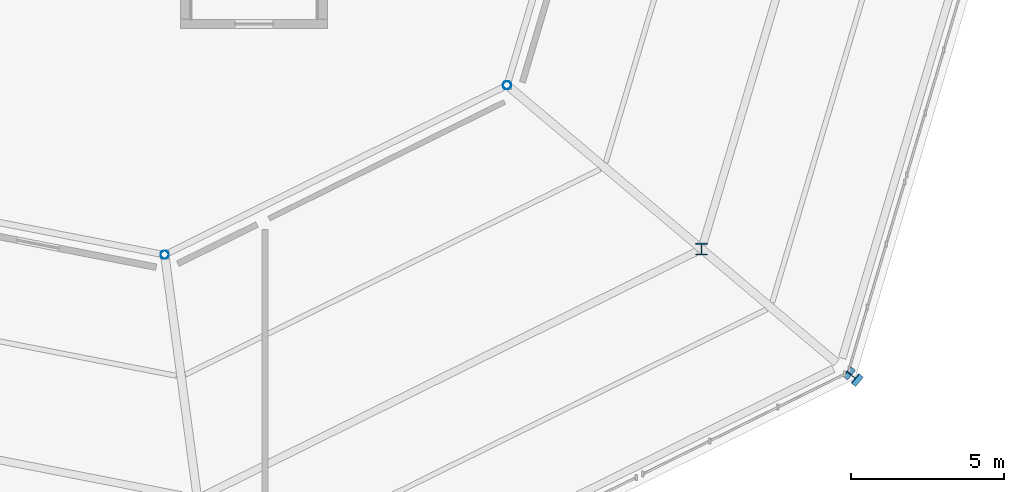
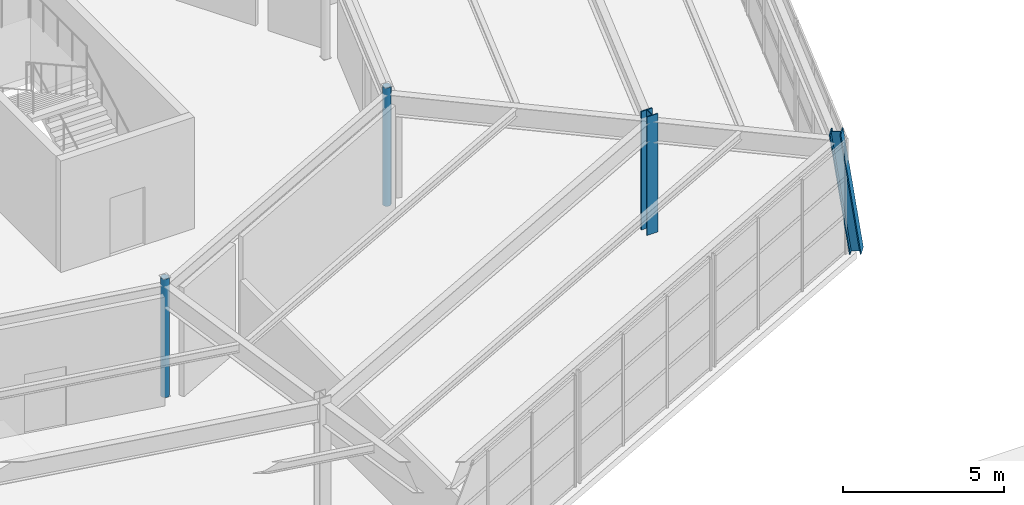
# One storey, part 15 of 77: 4 columns.
"""IFC4 building model written with IfcOpenShell, lengths in metres."""

from ifc_helpers import new_model, si_unit, direction, frame, origin, origin_2d, place, context, subcontext, project, spatial, hollow_circle, i_section, extrude, material, material_profile, profile_set, type_object, element, save


model = new_model("IFC4")

# Units and contexts
model_context = context("Model", 3, precision=1e-05, world=origin(), true_north=direction((0.0, 1.0)))
body_context = subcontext(model_context, "Body", "Model", "MODEL_VIEW")
ifc_project = project(units=[si_unit("LENGTHUNIT", "METRE"), si_unit("AREAUNIT", "SQUARE_METRE"), si_unit("VOLUMEUNIT", "CUBIC_METRE"), si_unit("PLANEANGLEUNIT", "RADIAN"), si_unit("MASSUNIT", "GRAM", prefix="KILO")], contexts=[model_context])

# Site, building, storey
site_placement = place(None, origin())
site = spatial("IfcSite", under=ifc_project, at=site_placement, CompositionType="ELEMENT")
building_placement = place(site_placement, origin())
building = spatial("IfcBuilding", under=site, at=building_placement, Name="Sarnbrook Museum", CompositionType="ELEMENT")
storey_placement = place(building_placement, frame((0.0, 0.0, 5.60009765625)))
storey = spatial("IfcBuildingStorey", under=building, at=storey_placement, Name="L01", CompositionType="ELEMENT", Elevation=5.60009765625)

# Columns
ifc_material_1 = material(Name="Structural Steel Hollow Section Grade C350L0 (AS/NZS 1163, fy = 350 MPa)", Category="steel")
ifc_material_profile_1 = material_profile(ifc_material_1, hollow_circle(Radius=0.136474609375, WallThickness=0.00927734375, at=origin_2d()), Name="273.1x9.3CHS")
ifc_profile_set_1 = profile_set([ifc_material_profile_1], Name="Structural Steel Hollow Section Grade C350L0 (AS/NZS 1163, fy = 350 MPa)")
column_type_1 = type_object("IfcColumnType", Name="COL-CHS273", PredefinedType="COLUMN", material=ifc_profile_set_1)
for number, where, z_axis, x_axis, name in (
    (1, (140.88720703125, 72.828857421875, 0.0), (0.0, 0.0, 1.0), (1.0, 0.0, 0.0), "Crystal Gallery Feature Column R2-2 L01"),
    (2, (152.05029296875, 78.356201171875, 0.0), (0.0, 0.0, 1.0), (1.0, 0.0, 0.0), "Crystal Gallery Feature Column R2-3 L01"),
):
    element("IfcColumn", number, at=place(storey_placement, frame(where, z_axis=z_axis, x_axis=x_axis)), inside=storey, type_object=column_type_1, Name=name, PredefinedType="COLUMN", context=body_context, shape_type="SweptSolid", body=[
        extrude(hollow_circle(Radius=0.136474609375, WallThickness=0.00927734375, at=origin_2d()), origin(), (0.0, 0.0, 1.0), 4.5),
    ])
ifc_material_2 = material(Name="Structural Steel Grade 350L0 (AS/NZS 3678, fy = 340 MPa for 20 < t <= 40 mm)", Category="steel")
ifc_material_profile_2 = material_profile(ifc_material_2, i_section(OverallWidth=0.39990234375, OverallDepth=0.382080078125, WebThickness=0.02490234375, FlangeThickness=0.035888671875, at=origin_2d()), Name="400WC270")
ifc_profile_set_2 = profile_set([ifc_material_profile_2], Name="Structural Steel Grade 350L0 (AS/NZS 3678, fy = 340 MPa for 20 < t <= 40 mm)")
column_type_2 = type_object("IfcColumnType", Name="COL-WC400", PredefinedType="COLUMN", material=ifc_profile_set_2)
column_1_placement = place(storey_placement, frame((163.3955078125, 68.8037109375, 0.039794921875), z_axis=(-0.108742477986, 0.091566909714, 0.989843712172), x_axis=(-0.644112272225, -0.764930964708, 0.0)))
element("IfcColumn", 3, at=column_1_placement, inside=storey, type_object=column_type_2, Name="Raking Crystal Rib Column V3 L01", PredefinedType="COLUMN", context=body_context, shape_type="SweptSolid", body=[
    extrude(i_section(OverallWidth=0.39990234375, OverallDepth=0.382080078125, WebThickness=0.02490234375, FlangeThickness=0.035888671875, at=origin_2d()), origin(), (0.0, 0.0, 1.0), 4.505859375),
])
column_2_placement = place(storey_placement, frame((158.392822265625, 73.015869140625, 0.0), z_axis=(0.0, 0.0, 1.0), x_axis=(1.0, 0.0, 0.0)))
element("IfcColumn", 4, at=column_2_placement, inside=storey, type_object=column_type_2, Name="Crystal Hall Ring Column R1-3 L01", PredefinedType="COLUMN", context=body_context, shape_type="SweptSolid", body=[
    extrude(i_section(OverallWidth=0.39990234375, OverallDepth=0.382080078125, WebThickness=0.02490234375, FlangeThickness=0.035888671875, at=origin_2d()), origin(), (0.0, 0.0, 1.0), 4.5),
])

save(model, "model.ifc")
